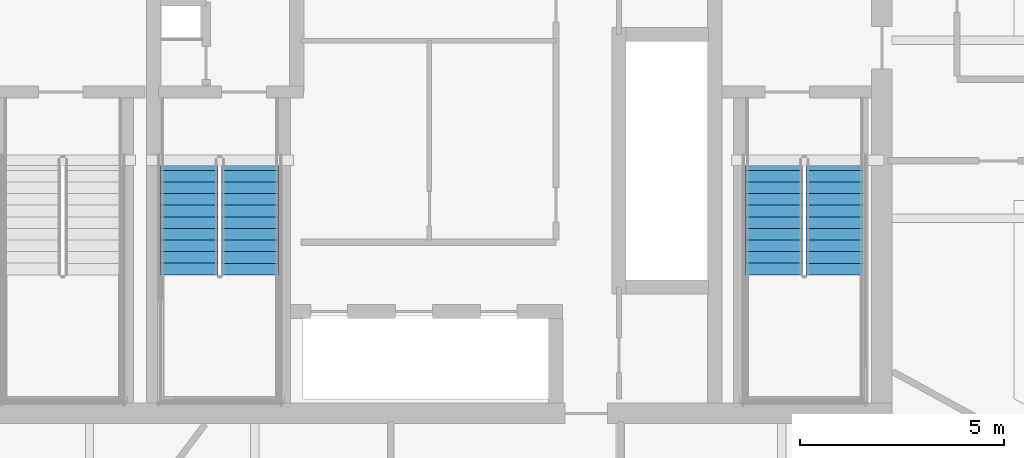
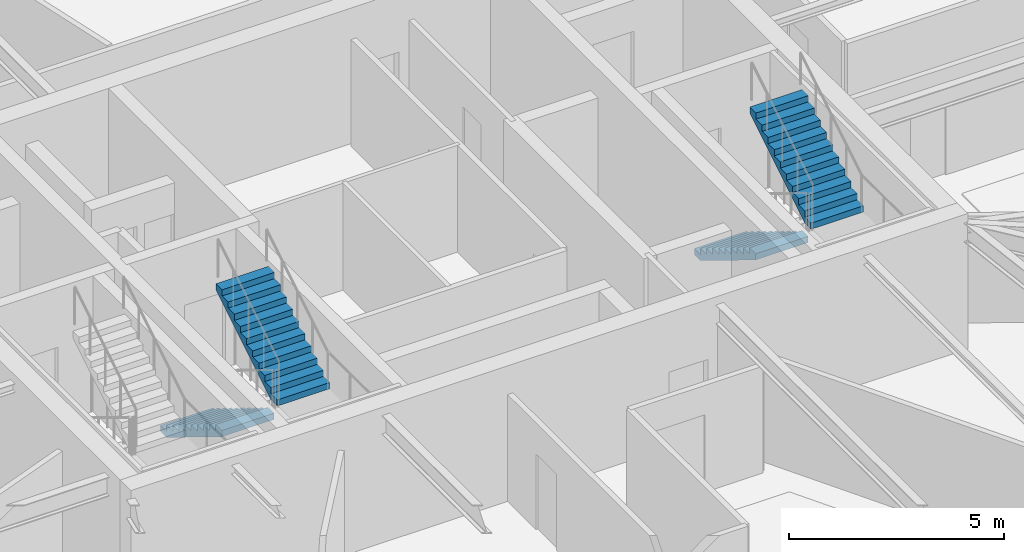
# One storey, part 19 of 22: 4 stair flights, 2 elements without a shape of their own.
"""IFC4 building model written with IfcOpenShell, lengths in metres."""

from ifc_helpers import new_model, si_unit, direction, frame, origin, place, context, subcontext, project, spatial, polyline, outline, extrude, material, type_object, element, aggregate, save


model = new_model("IFC4")

# Units and contexts
model_context = context("Model", 3, precision=1e-05, world=origin(), true_north=direction((0.0, 1.0)))
body_context = subcontext(model_context, "Body", "Model", "MODEL_VIEW")
ifc_project = project(units=[si_unit("LENGTHUNIT", "METRE"), si_unit("AREAUNIT", "SQUARE_METRE"), si_unit("VOLUMEUNIT", "CUBIC_METRE"), si_unit("PLANEANGLEUNIT", "RADIAN"), si_unit("MASSUNIT", "GRAM", prefix="KILO")], contexts=[model_context])

# Site, building, storey
site_placement = place(None, origin())
site = spatial("IfcSite", under=ifc_project, at=site_placement, CompositionType="ELEMENT")
building_placement = place(site_placement, origin())
building = spatial("IfcBuilding", under=site, at=building_placement, Name="Bramvorn Convention Spire", CompositionType="ELEMENT")
storey_placement = place(building_placement, frame((0.0, 0.0, 190.449951171875)))
storey = spatial("IfcBuildingStorey", under=building, at=storey_placement, Name="L48", CompositionType="ELEMENT", Elevation=190.449951171875)

# Stair, stair flights
ifc_material_1 = material(Name="Concrete C40/50 Precast Stair", Category="concrete")
stair_type = type_object("IfcStairType", Name="ST-TOWER-1550", PredefinedType="HALF_TURN_STAIR", material=ifc_material_1)
stair_1_placement = place(storey_placement, origin())
stair_1 = element("IfcStair", 1, at=stair_1_placement, inside=storey, type_object=stair_type, Name="L48 Protected Exit Stair ST2", PredefinedType="HALF_TURN_STAIR")
ifc_material_2 = material(Name="Concrete C40/50 Precast Stair Flight", Category="concrete")
stair_flight_type = type_object("IfcStairFlightType", Name="STF-TOWER-1550", PredefinedType="STRAIGHT", material=ifc_material_2)
stair_flight_1_placement = place(storey_placement, frame((46.35498046875, 25.050048828125, 0.0), z_axis=(0.0, 0.0, 1.0), x_axis=(0.0, -1.0, 0.0)))
stair_flight_1 = element("IfcStairFlight", 2, at=stair_flight_1_placement, type_object=stair_flight_type, Name="ST2 flight 1", NumberOfRisers=11, NumberOfTreads=10, PredefinedType="STRAIGHT", RiserHeight=0.175, TreadLength=0.285, context=body_context, shape_type="SweptSolid", body=[
    extrude(outline(polyline([(0.0, 0.0), (0.0, 0.175048828125), (0.284912109375, 0.175048828125), (0.284912109375, 0.35009765625), (0.570068359375, 0.35009765625), (0.570068359375, 0.52490234375), (0.85498046875, 0.52490234375), (0.85498046875, 0.699951171875), (1.139892578125, 0.699951171875), (1.139892578125, 0.875), (1.425048828125, 0.875), (1.425048828125, 1.050048828125), (1.7099609375, 1.050048828125), (1.7099609375, 1.22509765625), (1.9951171875, 1.22509765625), (1.9951171875, 1.39990234375), (2.280029296875, 1.39990234375), (2.280029296875, 1.574951171875), (2.56494140625, 1.574951171875), (2.56494140625, 1.75), (2.85009765625, 1.75), (2.85009765625, 1.925048828125), (2.85009765625, 1.573974609375), (0.286376953125, 0.0), (0.0, 0.0)])), frame((0.0, 0.705078125, 0.0), z_axis=(0.0, -1.0, 0.0), x_axis=(1.0, 0.0, 0.0)), (0.0, 0.0, 1.0), 1.409912109375),
])
stair_flight_2_placement = place(storey_placement, frame((47.844970703125, 22.199951171875, 1.925048828125), z_axis=(0.0, 0.0, 1.0), x_axis=(0.0, 1.0, 0.0)))
stair_flight_2 = element("IfcStairFlight", 3, at=stair_flight_2_placement, type_object=stair_flight_type, Name="ST2 flight 2", NumberOfRisers=11, NumberOfTreads=10, PredefinedType="STRAIGHT", RiserHeight=0.175, TreadLength=0.285, context=body_context, shape_type="SweptSolid", body=[
    extrude(outline(polyline([(0.0, 0.0), (0.0, 0.175048828125), (0.284912109375, 0.175048828125), (0.284912109375, 0.35009765625), (0.570068359375, 0.35009765625), (0.570068359375, 0.52490234375), (0.85498046875, 0.52490234375), (0.85498046875, 0.699951171875), (1.139892578125, 0.699951171875), (1.139892578125, 0.875), (1.425048828125, 0.875), (1.425048828125, 1.050048828125), (1.7099609375, 1.050048828125), (1.7099609375, 1.22509765625), (1.9951171875, 1.22509765625), (1.9951171875, 1.39990234375), (2.280029296875, 1.39990234375), (2.280029296875, 1.574951171875), (2.56494140625, 1.574951171875), (2.56494140625, 1.75), (2.85009765625, 1.75), (2.85009765625, 1.925048828125), (2.85009765625, 1.573974609375), (0.286376953125, 0.0), (0.0, 0.0)])), frame((0.0, 0.705078125, 0.0), z_axis=(0.0, -1.0, 0.0), x_axis=(1.0, 0.0, 0.0)), (0.0, 0.0, 1.0), 1.409912109375),
])
aggregate(stair_1, [stair_flight_1, stair_flight_2])

stair_2_placement = place(storey_placement, origin())
stair_2 = element("IfcStair", 4, at=stair_2_placement, inside=storey, type_object=stair_type, Name="L48 Protected Exit Stair ST3", PredefinedType="HALF_TURN_STAIR")
stair_flight_3_placement = place(storey_placement, frame((32.0048828125, 25.050048828125, 0.0), z_axis=(0.0, 0.0, 1.0), x_axis=(0.0, -1.0, 0.0)))
stair_flight_3 = element("IfcStairFlight", 5, at=stair_flight_3_placement, type_object=stair_flight_type, Name="ST3 flight 1", NumberOfRisers=11, NumberOfTreads=10, PredefinedType="STRAIGHT", RiserHeight=0.175, TreadLength=0.285, context=body_context, shape_type="SweptSolid", body=[
    extrude(outline(polyline([(0.0, 0.0), (0.0, 0.175048828125), (0.284912109375, 0.175048828125), (0.284912109375, 0.35009765625), (0.570068359375, 0.35009765625), (0.570068359375, 0.52490234375), (0.85498046875, 0.52490234375), (0.85498046875, 0.699951171875), (1.139892578125, 0.699951171875), (1.139892578125, 0.875), (1.425048828125, 0.875), (1.425048828125, 1.050048828125), (1.7099609375, 1.050048828125), (1.7099609375, 1.22509765625), (1.9951171875, 1.22509765625), (1.9951171875, 1.39990234375), (2.280029296875, 1.39990234375), (2.280029296875, 1.574951171875), (2.56494140625, 1.574951171875), (2.56494140625, 1.75), (2.85009765625, 1.75), (2.85009765625, 1.925048828125), (2.85009765625, 1.573974609375), (0.286376953125, 0.0), (0.0, 0.0)])), frame((0.0, 0.705078125, 0.0), z_axis=(0.0, -1.0, 0.0), x_axis=(1.0, 0.0, 0.0)), (0.0, 0.0, 1.0), 1.409912109375),
])
stair_flight_4_placement = place(storey_placement, frame((33.4951171875, 22.199951171875, 1.925048828125), z_axis=(0.0, 0.0, 1.0), x_axis=(0.0, 1.0, 0.0)))
stair_flight_4 = element("IfcStairFlight", 6, at=stair_flight_4_placement, type_object=stair_flight_type, Name="ST3 flight 2", NumberOfRisers=11, NumberOfTreads=10, PredefinedType="STRAIGHT", RiserHeight=0.175, TreadLength=0.285, context=body_context, shape_type="SweptSolid", body=[
    extrude(outline(polyline([(0.0, 0.0), (0.0, 0.175048828125), (0.284912109375, 0.175048828125), (0.284912109375, 0.35009765625), (0.570068359375, 0.35009765625), (0.570068359375, 0.52490234375), (0.85498046875, 0.52490234375), (0.85498046875, 0.699951171875), (1.139892578125, 0.699951171875), (1.139892578125, 0.875), (1.425048828125, 0.875), (1.425048828125, 1.050048828125), (1.7099609375, 1.050048828125), (1.7099609375, 1.22509765625), (1.9951171875, 1.22509765625), (1.9951171875, 1.39990234375), (2.280029296875, 1.39990234375), (2.280029296875, 1.574951171875), (2.56494140625, 1.574951171875), (2.56494140625, 1.75), (2.85009765625, 1.75), (2.85009765625, 1.925048828125), (2.85009765625, 1.573974609375), (0.286376953125, 0.0), (0.0, 0.0)])), frame((0.0, 0.705078125, 0.0), z_axis=(0.0, -1.0, 0.0), x_axis=(1.0, 0.0, 0.0)), (0.0, 0.0, 1.0), 1.409912109375),
])
aggregate(stair_2, [stair_flight_3, stair_flight_4])

save(model, "model.ifc")
